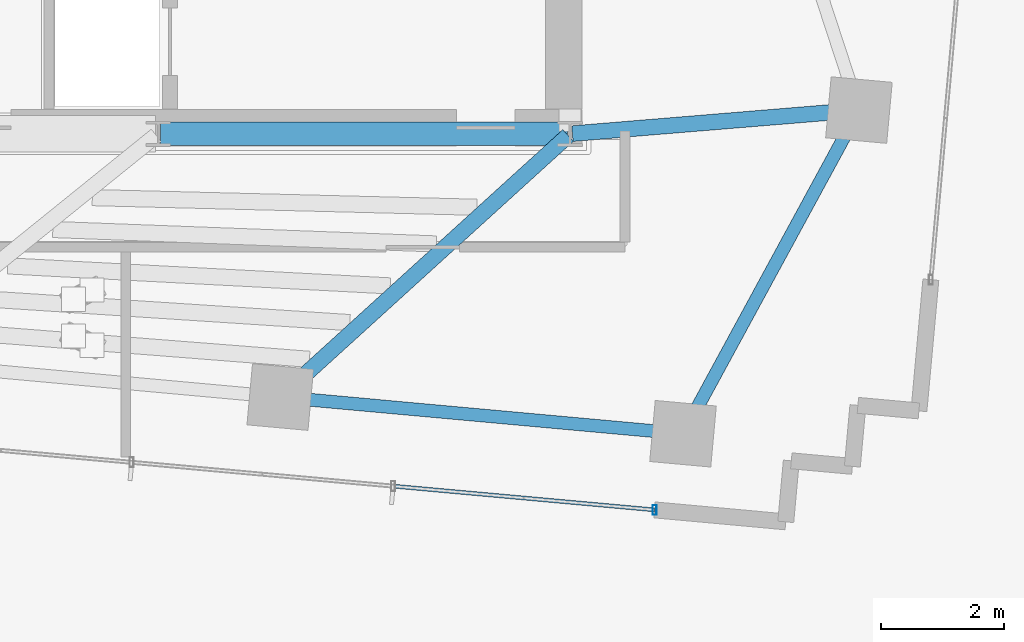
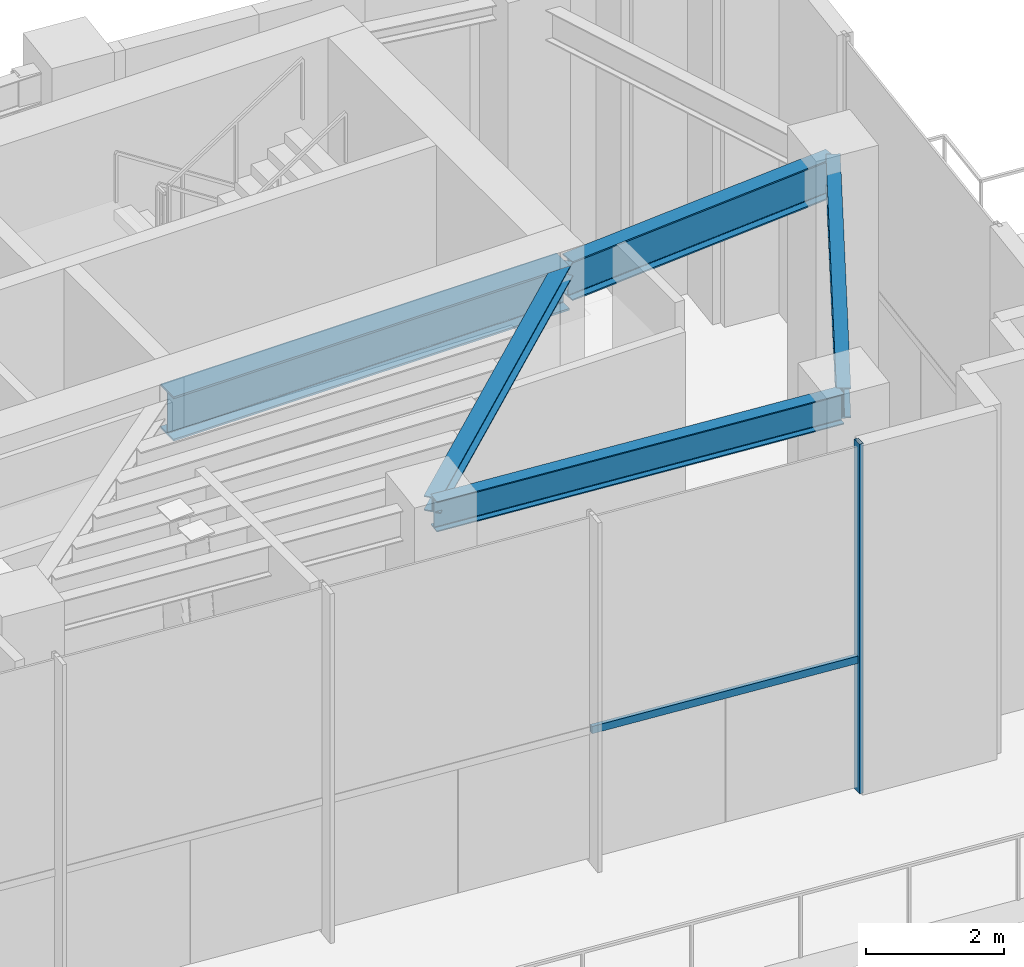
# One storey, part 7 of 18: 5 beams, 2 members, 1 element without a shape of its own.
"""IFC4 building model written with IfcOpenShell, lengths in metres."""

import ifcopenshell
import ifcopenshell.guid

model = None  # the IFC model being written
_history = None  # IfcOwnerHistory: only IFC2X3 demands one
_inside = {}  # id of a spatial element -> (the spatial element, [elements in it])
_under = {}  # id of a project, library or spatial element -> (it, [spatial elements below it])
_declared = {}  # id of a project -> (the project, [libraries it declares])
_typed = {}  # id of a type object -> (the type object, [elements of that type])
_made_of = {}  # id of a material, layer set ... -> (it, [elements and type objects made of it])


def new_model(schema):
    """Start an empty IFC model of exactly this schema.

    Asked for "IFC4X3", IfcOpenShell would pick the latest addendum, in which some entities
    have other attributes; the version numbers below select the first issue.
    IFC2X3 requires an IfcOwnerHistory on every rooted entity: one is made here for all.
    """
    global model, _history
    if schema == "IFC4X3":
        model = ifcopenshell.file(schema_version=(4, 3, 0, 0))
    else:
        model = ifcopenshell.file(schema=schema)
    _inside.clear()
    _under.clear()
    _declared.clear()
    _typed.clear()
    _made_of.clear()
    _history = None
    if model.schema == "IFC2X3":
        org = make("IfcOrganization", Name="unknown")
        user = make(
            "IfcPersonAndOrganization",
            ThePerson=make("IfcPerson", FamilyName="unknown"),
            TheOrganization=org,
        )
        app = make(
            "IfcApplication",
            ApplicationDeveloper=org,
            Version="unknown",
            ApplicationFullName="unknown",
            ApplicationIdentifier="unknown",
        )
        _history = make(
            "IfcOwnerHistory",
            OwningUser=user,
            OwningApplication=app,
            ChangeAction="ADDED",
            CreationDate=0,
        )
    return model


def make(cls, **values):
    """One entity of the class cls with the attributes given. An attribute that is None is left unset."""
    return model.create_entity(
        cls, **{name: value for name, value in values.items() if value is not None}
    )


def rooted(cls, **values):
    """An entity with a GlobalId (a new one), such as an element, a storey or a relation."""
    return make(cls, GlobalId=ifcopenshell.guid.new(), OwnerHistory=_history, **values)


def si_unit(unit_type, name, prefix=None):
    """IfcSIUnit, for example si_unit("LENGTHUNIT", "METRE", prefix="MILLI")."""
    return make("IfcSIUnit", UnitType=unit_type, Prefix=prefix, Name=name)


def assignment(units):
    """IfcUnitAssignment: the units of a project."""
    return None if units is None else make("IfcUnitAssignment", Units=units)


def point(xyz):
    """IfcCartesianPoint."""
    return None if xyz is None else make("IfcCartesianPoint", Coordinates=xyz)


def direction(xyz):
    """IfcDirection."""
    return None if xyz is None else make("IfcDirection", DirectionRatios=xyz)


def frame(location, z_axis=None, x_axis=None):
    """IfcAxis2Placement3D, a coordinate frame: its origin and axes. An axis left out is left unset."""
    return make(
        "IfcAxis2Placement3D",
        Location=point(location),
        Axis=direction(z_axis),
        RefDirection=direction(x_axis),
    )


def frame_2d(location, x_axis=None):
    """IfcAxis2Placement2D, a coordinate frame in the plane: its origin and x axis."""
    return make(
        "IfcAxis2Placement2D", Location=point(location), RefDirection=direction(x_axis)
    )


def origin():
    """The frame at (0, 0, 0) with its axes left unset."""
    return frame((0.0, 0.0, 0.0))


def origin_2d():
    """The frame at (0, 0) in the plane with its x axis left unset."""
    return frame_2d((0.0, 0.0))


def place(relative_to, where):
    """IfcLocalPlacement: puts the frame where relative to a parent placement (None: the world)."""
    return make(
        "IfcLocalPlacement", PlacementRelTo=relative_to, RelativePlacement=where
    )


def context(
    kind, dimensions, precision=None, world=None, true_north=None, identifier=None
):
    """IfcGeometricRepresentationContext, for example the 3D "Model" context."""
    return make(
        "IfcGeometricRepresentationContext",
        ContextIdentifier=identifier,
        ContextType=kind,
        CoordinateSpaceDimension=dimensions,
        Precision=precision,
        WorldCoordinateSystem=world,
        TrueNorth=true_north,
    )


def subcontext(parent, identifier, kind, view, scale=None):
    """IfcGeometricRepresentationSubContext, for example "Body" below "Model"."""
    return make(
        "IfcGeometricRepresentationSubContext",
        ContextIdentifier=identifier,
        ContextType=kind,
        ParentContext=parent,
        TargetScale=scale,
        TargetView=view,
    )


def project(units=None, contexts=None):
    """IfcProject with its units and contexts."""
    return rooted(
        "IfcProject",
        Name="project",
        RepresentationContexts=contexts,
        UnitsInContext=assignment(units),
    )


def spatial(cls, under=None, at=None, **own):
    """A site, building, storey or space (cls), placed at a placement, below another one or the project."""
    s = rooted(cls, ObjectPlacement=at, **own)
    if under is not None:
        _under.setdefault(under.id(), (under, []))[1].append(s)
    return s


def profile(cls, at=None, kind="AREA", **sizes):
    """A parametric profile (cls). Its sizes go by their IFC names, for example OverallWidth=200.0."""
    return make(cls, ProfileType=kind, Position=at, **sizes)


def hollow_rectangle(**sizes):
    """IfcRectangleHollowProfileDef."""
    return profile("IfcRectangleHollowProfileDef", **sizes)


def i_section(**sizes):
    """IfcIShapeProfileDef."""
    return profile("IfcIShapeProfileDef", **sizes)


def extrude(swept, where, along, depth):
    """IfcExtrudedAreaSolid: the profile swept, set in the frame where, extruded along a direction by depth."""
    return make(
        "IfcExtrudedAreaSolid",
        SweptArea=swept,
        Position=where,
        ExtrudedDirection=direction(along),
        Depth=depth,
    )


def shape(context_of_items, identifier, shape_type, items):
    """IfcShapeRepresentation: the items that make up one representation, for example the "Body"."""
    return make(
        "IfcShapeRepresentation",
        ContextOfItems=context_of_items,
        RepresentationIdentifier=identifier,
        RepresentationType=shape_type,
        Items=items,
    )


def source(mapping_origin, context_of_items, identifier, shape_type, items):
    """IfcRepresentationMap: a shape defined once, which mapped items show again and again."""
    return make(
        "IfcRepresentationMap",
        MappingOrigin=mapping_origin,
        MappedRepresentation=shape(context_of_items, identifier, shape_type, items),
    )


def transform(
    local_origin,
    x_axis=None,
    y_axis=None,
    z_axis=None,
    scale=None,
    scale2=None,
    scale3=None,
    uniform=True,
):
    """IfcCartesianTransformationOperator3D, or its non-uniform kind. x_axis, y_axis, z_axis: its Axis1, 2, 3."""
    if uniform:
        return make(
            "IfcCartesianTransformationOperator3D",
            Axis1=direction(x_axis),
            Axis2=direction(y_axis),
            LocalOrigin=point(local_origin),
            Scale=scale,
            Axis3=direction(z_axis),
        )
    return make(
        "IfcCartesianTransformationOperator3DnonUniform",
        Axis1=direction(x_axis),
        Axis2=direction(y_axis),
        LocalOrigin=point(local_origin),
        Scale=scale,
        Axis3=direction(z_axis),
        Scale2=scale2,
        Scale3=scale3,
    )


def mapped(mapping_source, mapping_target):
    """IfcMappedItem: shows the shape of a source again, moved by a transform."""
    return make(
        "IfcMappedItem", MappingSource=mapping_source, MappingTarget=mapping_target
    )


def material(Name=None, Category=None):
    """IfcMaterial."""
    return make("IfcMaterial", Name=Name, Category=Category)


def material_profile(
    of_material, cross_section, Name=None, Category=None, Priority=None
):
    """IfcMaterialProfile: a cross section and its material."""
    return make(
        "IfcMaterialProfile",
        Name=Name,
        Material=of_material,
        Profile=cross_section,
        Priority=Priority,
        Category=Category,
    )


def profile_set(profiles, Name=None, composite=None):
    """IfcMaterialProfileSet."""
    return make(
        "IfcMaterialProfileSet",
        Name=Name,
        MaterialProfiles=profiles,
        CompositeProfile=composite,
    )


def made_of(thing, what):
    """Note that an element or type object is made of a material, layer set ...; save() writes the relation."""
    if what is not None:
        _made_of.setdefault(what.id(), (what, []))[1].append(thing)
    return thing


def type_object(cls, material=None, **own):
    """A type object (cls), such as IfcWallType, which elements share."""
    return made_of(rooted(cls, **own), material)


def type_shapes(of_type, sources):
    """Give a type object the sources (RepresentationMaps) that its elements show as mapped items."""
    of_type.RepresentationMaps = sources


def element(
    cls,
    number,
    at=None,
    inside=None,
    cuts=None,
    type_object=None,
    material=None,
    context=None,
    identifier="Body",
    shape_type=None,
    held_by="IfcProductDefinitionShape",
    body=None,
    shapes=None,
    **own,
):
    """One element of the class cls, such as IfcWall. Its Tag is "e" and its number.

    at: its placement. inside: the storey or other place that contains it. cuts: it is an
    opening in that element (IfcRelVoidsElement). A single representation is given by context,
    identifier, shape_type and body (its items); several are given by shapes. held_by: the class
    of the entity that holds the representations. save() writes the other relations.
    """
    e = rooted(cls, Tag="e%d" % number, ObjectPlacement=at, **own)
    if body is not None:
        shapes = [shape(context, identifier, shape_type, body)]
    if shapes is not None:
        e.Representation = make(held_by, Representations=shapes)
    if inside is not None:
        _inside.setdefault(inside.id(), (inside, []))[1].append(e)
    if cuts is not None:
        rooted(
            "IfcRelVoidsElement", RelatingBuildingElement=cuts, RelatedOpeningElement=e
        )
    if type_object is not None:
        _typed.setdefault(type_object.id(), (type_object, []))[1].append(e)
    return made_of(e, material)


def aggregate(whole, parts):
    """IfcRelAggregates: a whole, such as a stair, and the parts it consists of."""
    return rooted("IfcRelAggregates", RelatingObject=whole, RelatedObjects=parts)


def save(model, path):
    """Write the relations noted so far, then the file.

    IfcRelAggregates (storeys below a building ...), IfcRelContainedInSpatialStructure (elements
    in a storey), IfcRelDefinesByType, IfcRelAssociatesMaterial and IfcRelDeclares: one each for
    every whole, place, type object, material and project.
    """
    for whole, parts in _under.values():
        aggregate(whole, parts)
    for where, things in _inside.values():
        rooted(
            "IfcRelContainedInSpatialStructure",
            RelatedElements=things,
            RelatingStructure=where,
        )
    for kind, things in _typed.values():
        rooted("IfcRelDefinesByType", RelatedObjects=things, RelatingType=kind)
    for what, things in _made_of.values():
        rooted("IfcRelAssociatesMaterial", RelatedObjects=things, RelatingMaterial=what)
    for by, libraries in _declared.values():
        rooted("IfcRelDeclares", RelatingContext=by, RelatedDefinitions=libraries)
    model.write(path)


model = new_model("IFC4")

# Units and contexts
model_context = context("Model", 3, precision=1e-05, world=origin(), true_north=direction((0.0, 1.0)))
body_context = subcontext(model_context, "Body", "Model", "MODEL_VIEW")
ifc_project = project(units=[si_unit("LENGTHUNIT", "METRE"), si_unit("AREAUNIT", "SQUARE_METRE"), si_unit("VOLUMEUNIT", "CUBIC_METRE"), si_unit("PLANEANGLEUNIT", "RADIAN"), si_unit("MASSUNIT", "GRAM", prefix="KILO")], contexts=[model_context])

# Site, building, storey
site_placement = place(None, origin())
site = spatial("IfcSite", under=ifc_project, at=site_placement, CompositionType="ELEMENT")
building_placement = place(site_placement, origin())
building = spatial("IfcBuilding", under=site, at=building_placement, Name="Astriad Promenade Condominiums", CompositionType="ELEMENT")
storey_placement = place(building_placement, frame((0.0, 0.0, 264.300048828125)))
storey = spatial("IfcBuildingStorey", under=building, at=storey_placement, Name="L76", CompositionType="ELEMENT", Elevation=264.300048828125)

# Beams
ifc_material_1 = material(Name="Steel ASTM A992 Grade 50", Category="steel")
ifc_material_profile_1 = material_profile(ifc_material_1, i_section(OverallWidth=0.3837890625, OverallDepth=0.785888671875, WebThickness=0.019775390625, FlangeThickness=0.033447265625, FilletRadius=0.021484375, at=origin_2d()), Name="W30X211")
ifc_profile_set_1 = profile_set([ifc_material_profile_1], Name="Steel ASTM A992 Grade 50")
beam_type_1 = type_object("IfcBeamType", Name="STEEL FLOOR GIRDER W30X211", PredefinedType="BEAM", material=ifc_profile_set_1)
shared_shape_1 = source(origin(), body_context, "Body", "SweptSolid", [
    extrude(i_section(OverallWidth=0.3837890625, OverallDepth=0.785888671875, WebThickness=0.019775390625, FlangeThickness=0.033447265625, FilletRadius=0.021484375, at=origin_2d()), origin(), (0.0, 0.0, 1.0), 6.64013671875),
])
type_shapes(beam_type_1, [shared_shape_1])
beam_1_placement = place(storey_placement, frame((38.919921875, 17.39990234375, 5.80712890625), z_axis=(1.0, 0.0, 0.0), x_axis=(0.0, 1.0, 0.0)))
element("IfcBeam", 1, at=beam_1_placement, inside=storey, type_object=beam_type_1, Name="Core Ring Beam CG-S3-L76", PredefinedType="BEAM", context=body_context, shape_type="MappedRepresentation", body=[
    mapped(shared_shape_1, transform((0.0, 0.0, 0.0), scale=1.0)),
])
ifc_material_profile_2 = material_profile(ifc_material_1, i_section(OverallWidth=0.210693359375, OverallDepth=0.53955078125, WebThickness=0.01171875, FlangeThickness=0.018798828125, FilletRadius=0.0166015625, at=origin_2d()), Name="W21X73")
ifc_profile_set_2 = profile_set([ifc_material_profile_2], Name="Steel ASTM A992 Grade 50")
beam_type_2 = type_object("IfcBeamType", Name="STEEL SPANDREL BEAM W21X73", PredefinedType="SPANDREL", material=ifc_profile_set_2)
shared_shape_2 = source(origin(), body_context, "Body", "SweptSolid", [
    extrude(i_section(OverallWidth=0.210693359375, OverallDepth=0.53955078125, WebThickness=0.01171875, FlangeThickness=0.018798828125, FilletRadius=0.0166015625, at=origin_2d()), origin(), (0.0, 0.0, 1.0), 6.52001953125),
])
beam_2_placement = place(storey_placement, frame((40.912353515625, 13.100830078125, 5.93017578125), z_axis=(0.995885836952, -0.090616774155, 0.0), x_axis=(0.090616774155, 0.995885836952, 0.0)))
element("IfcBeam", 2, at=beam_2_placement, inside=storey, type_object=beam_type_2, Name="Perimeter Spandrel Beam SP-S4-L76", PredefinedType="SPANDREL", context=body_context, shape_type="MappedRepresentation", body=[
    mapped(shared_shape_2, transform((0.0, 0.0, 0.0), scale=1.0)),
])
shared_shape_3 = source(origin(), body_context, "Body", "SweptSolid", [
    extrude(i_section(OverallWidth=0.210693359375, OverallDepth=0.53955078125, WebThickness=0.01171875, FlangeThickness=0.018798828125, FilletRadius=0.0166015625, at=origin_2d()), origin(), (0.0, 0.0, 1.0), 5.93115234375),
])
type_shapes(beam_type_2, [shared_shape_2, shared_shape_3])
beam_3_placement = place(storey_placement, frame((47.464599609375, 12.54150390625, 5.93017578125), z_axis=(0.477527827146, 0.878616625327, 0.0), x_axis=(-0.878616625327, 0.477527827146, 0.0)))
element("IfcBeam", 3, at=beam_3_placement, inside=storey, type_object=beam_type_2, Name="Perimeter Spandrel Beam SP-E1-L76", PredefinedType="SPANDREL", context=body_context, shape_type="MappedRepresentation", body=[
    mapped(shared_shape_3, transform((0.0, 0.0, 0.0), scale=1.0)),
])
ifc_material_profile_3 = material_profile(ifc_material_1, i_section(OverallWidth=0.25732421875, OverallDepth=0.26416015625, WebThickness=0.011962890625, FlangeThickness=0.01953125, FilletRadius=0.0126953125, at=origin_2d()), Name="W10X68")
ifc_profile_set_3 = profile_set([ifc_material_profile_3], Name="Steel ASTM A992 Grade 50")
beam_type_3 = type_object("IfcBeamType", Name="STEEL CANOPY BEAM W10X68", PredefinedType="BEAM", material=ifc_profile_set_3)
shared_shape_4 = source(origin(), body_context, "Body", "SweptSolid", [
    extrude(i_section(OverallWidth=0.25732421875, OverallDepth=0.26416015625, WebThickness=0.011962890625, FlangeThickness=0.01953125, FilletRadius=0.0126953125, at=origin_2d()), origin(), (0.0, 0.0, 1.0), 6.307373046875),
])
type_shapes(beam_type_3, [shared_shape_4])
beam_4_placement = place(storey_placement, frame((40.902099609375, 13.13134765625, 6.06787109375), z_axis=(0.740108187387, 0.672487822167, 0.0), x_axis=(-0.672487822167, 0.740108187387, 0.0)))
element("IfcBeam", 4, at=beam_4_placement, inside=storey, type_object=beam_type_3, Name="Primary Floor Girder PG-E2-L76", PredefinedType="BEAM", context=body_context, shape_type="MappedRepresentation", body=[
    mapped(shared_shape_4, transform((0.0, 0.0, 0.0), scale=1.0)),
])
ifc_material_profile_4 = material_profile(ifc_material_1, i_section(OverallWidth=0.255859375, OverallDepth=0.693115234375, WebThickness=0.014404296875, FlangeThickness=0.023681640625, FilletRadius=0.020263671875, at=origin_2d()), Name="W27X114")
ifc_profile_set_4 = profile_set([ifc_material_profile_4], Name="Steel ASTM A992 Grade 50")
beam_type_4 = type_object("IfcBeamType", Name="STEEL FLOOR GIRDER W27X114", PredefinedType="BEAM", material=ifc_profile_set_4)
shared_shape_5 = source(origin(), body_context, "Body", "SweptSolid", [
    extrude(i_section(OverallWidth=0.255859375, OverallDepth=0.693115234375, WebThickness=0.014404296875, FlangeThickness=0.023681640625, FilletRadius=0.020263671875, at=origin_2d()), origin(), (0.0, 0.0, 1.0), 4.651611328125),
])
type_shapes(beam_type_4, [shared_shape_5])
beam_5_placement = place(storey_placement, frame((50.27587890625, 17.78466796875, 5.853271484375), z_axis=(-0.996633871262, -0.081981257934, 0.0), x_axis=(0.081981257934, -0.996633871262, 0.0)))
element("IfcBeam", 5, at=beam_5_placement, inside=storey, type_object=beam_type_4, Name="Primary Floor Girder PG-EM-L76", PredefinedType="BEAM", context=body_context, shape_type="MappedRepresentation", body=[
    mapped(shared_shape_5, transform((0.0, 0.0, 0.0), scale=1.0)),
])

# Curtain wall, members
ifc_material_2 = material(Name="Anodised aluminium Black Dark Glass Unitised", Category="aluminium")
curtain_wall_type = type_object("IfcCurtainWallType", Name="CW-TMD-LANTERN", PredefinedType="USERDEFINED", material=ifc_material_2)
curtain_wall_placement = place(storey_placement, origin())
curtain_wall = element("IfcCurtainWall", 6, at=curtain_wall_placement, inside=storey, type_object=curtain_wall_type, Name="CW-LNT-L76-18-1", ObjectType="UNITISED_CURTAIN_WALL", PredefinedType="USERDEFINED")
ifc_material_3 = material(Name="Anodised aluminium 6063-T6 Black", Category="aluminium")
ifc_material_profile_5 = material_profile(ifc_material_3, hollow_rectangle(XDim=0.06494140625, YDim=0.159912109375, WallThickness=0.00390625, at=origin_2d()), Name="ALU-MUL-65X160")
ifc_profile_set_5 = profile_set([ifc_material_profile_5], Name="Anodised aluminium 6063-T6 Black")
member_type_1 = type_object("IfcMemberType", Name="MUL-ALU-MUL-65X160", PredefinedType="MULLION", material=ifc_profile_set_5)
shared_shape_6 = source(origin(), body_context, "Body", "SweptSolid", [
    extrude(hollow_rectangle(XDim=0.06494140625, YDim=0.159912109375, WallThickness=0.00390625, at=origin_2d()), origin(), (0.0, 0.0, 1.0), 6.199951171875),
])
type_shapes(member_type_1, [shared_shape_6])
member_1_placement = place(storey_placement, frame((46.980712890625, 11.263427734375, 0.0), z_axis=(0.0, 0.0, 1.0), x_axis=(1.0, 0.0, 0.0)))
member_1 = element("IfcMember", 7, at=member_1_placement, type_object=member_type_1, Name="CW-LNT-L76-18-1-MUL-00", PredefinedType="MULLION", context=body_context, shape_type="MappedRepresentation", body=[
    mapped(shared_shape_6, transform((0.0, 0.0, 0.0), scale=1.0)),
])
ifc_material_profile_6 = material_profile(ifc_material_3, hollow_rectangle(XDim=0.06494140625, YDim=0.1298828125, WallThickness=0.00390625, at=origin_2d()), Name="ALU-TRN-65X130")
ifc_profile_set_6 = profile_set([ifc_material_profile_6], Name="Anodised aluminium 6063-T6 Black")
member_type_2 = type_object("IfcMemberType", Name="TRN-ALU-TRN-65X130", PredefinedType="USERDEFINED", material=ifc_profile_set_6)
shared_shape_7 = source(origin(), body_context, "Body", "SweptSolid", [
    extrude(hollow_rectangle(XDim=0.06494140625, YDim=0.1298828125, WallThickness=0.00390625, at=origin_2d()), origin(), (0.0, 0.0, 1.0), 4.283203125),
])
type_shapes(member_type_2, [shared_shape_7])
member_2_placement = place(storey_placement, frame((46.980712890625, 11.263427734375, 2.349853515625), z_axis=(-0.995884792497, 0.090628252065, 0.0), x_axis=(-0.090628252065, -0.995884792497, 0.0)))
member_2 = element("IfcMember", 8, at=member_2_placement, type_object=member_type_2, Name="CW-LNT-L76-18-1-TRN-00-0", ObjectType="TRANSOM", PredefinedType="USERDEFINED", context=body_context, shape_type="MappedRepresentation", body=[
    mapped(shared_shape_7, transform((0.0, 0.0, 0.0), scale=1.0)),
])
aggregate(curtain_wall, [member_1, member_2])

save(model, "model.ifc")
